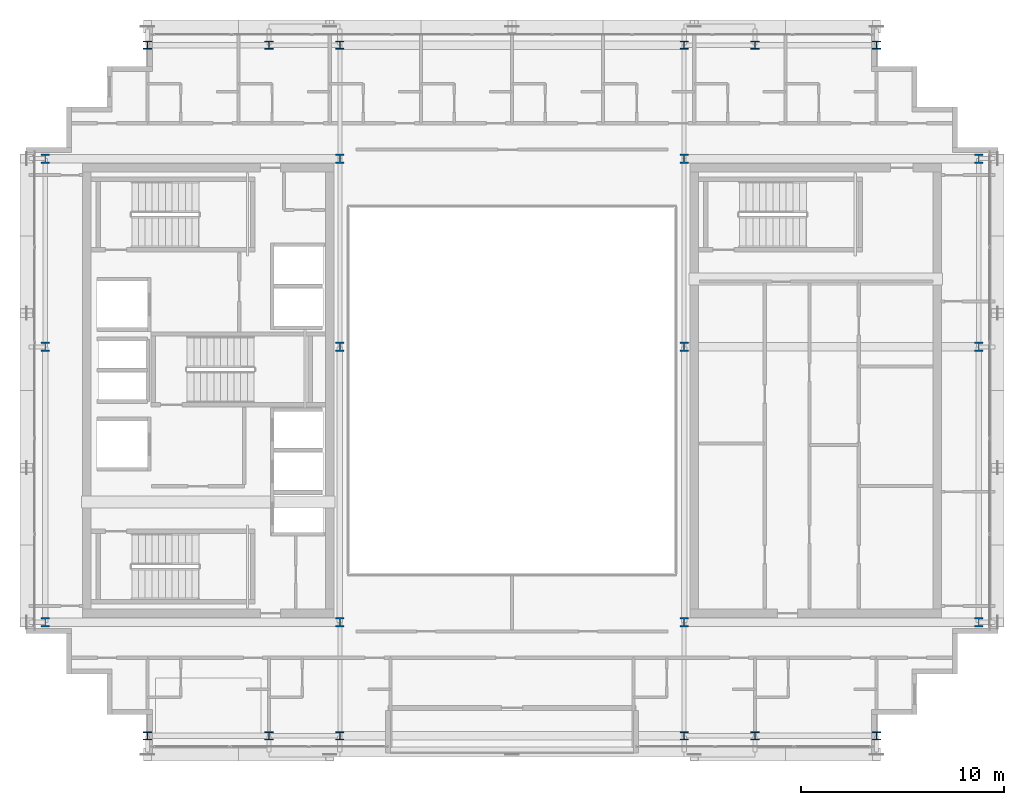
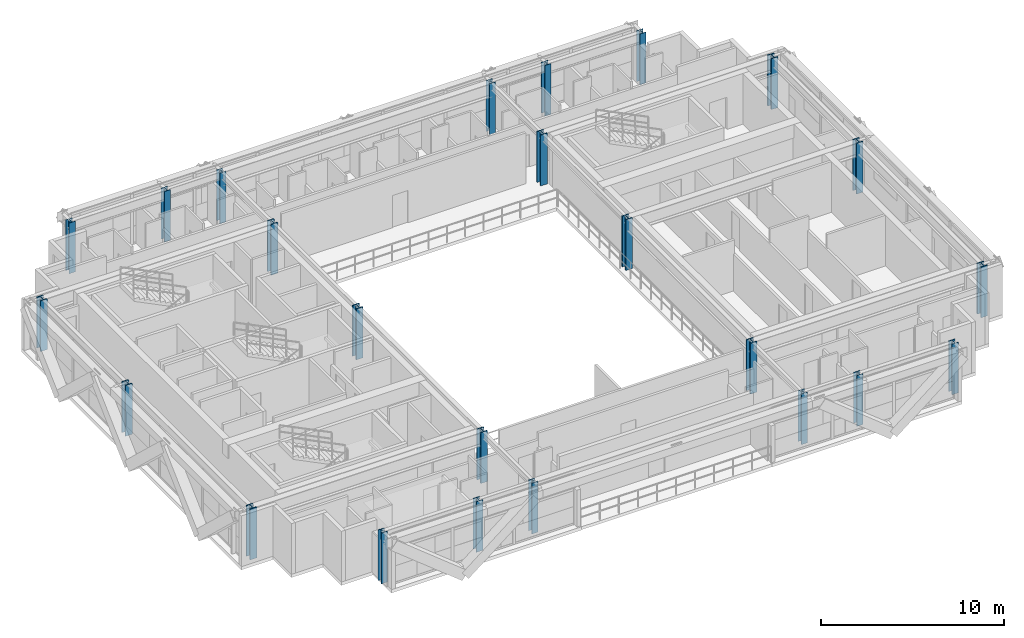
# One storey, part 1 of 28: 24 columns.
"""IFC4 building model written with IfcOpenShell, lengths in metres."""

import ifcopenshell
import ifcopenshell.guid

model = None  # the IFC model being written
_history = None  # IfcOwnerHistory: only IFC2X3 demands one
_inside = {}  # id of a spatial element -> (the spatial element, [elements in it])
_under = {}  # id of a project, library or spatial element -> (it, [spatial elements below it])
_declared = {}  # id of a project -> (the project, [libraries it declares])
_typed = {}  # id of a type object -> (the type object, [elements of that type])
_made_of = {}  # id of a material, layer set ... -> (it, [elements and type objects made of it])


def new_model(schema):
    """Start an empty IFC model of exactly this schema.

    Asked for "IFC4X3", IfcOpenShell would pick the latest addendum, in which some entities
    have other attributes; the version numbers below select the first issue.
    IFC2X3 requires an IfcOwnerHistory on every rooted entity: one is made here for all.
    """
    global model, _history
    if schema == "IFC4X3":
        model = ifcopenshell.file(schema_version=(4, 3, 0, 0))
    else:
        model = ifcopenshell.file(schema=schema)
    _inside.clear()
    _under.clear()
    _declared.clear()
    _typed.clear()
    _made_of.clear()
    _history = None
    if model.schema == "IFC2X3":
        org = make("IfcOrganization", Name="unknown")
        user = make(
            "IfcPersonAndOrganization",
            ThePerson=make("IfcPerson", FamilyName="unknown"),
            TheOrganization=org,
        )
        app = make(
            "IfcApplication",
            ApplicationDeveloper=org,
            Version="unknown",
            ApplicationFullName="unknown",
            ApplicationIdentifier="unknown",
        )
        _history = make(
            "IfcOwnerHistory",
            OwningUser=user,
            OwningApplication=app,
            ChangeAction="ADDED",
            CreationDate=0,
        )
    return model


def make(cls, **values):
    """One entity of the class cls with the attributes given. An attribute that is None is left unset."""
    return model.create_entity(
        cls, **{name: value for name, value in values.items() if value is not None}
    )


def rooted(cls, **values):
    """An entity with a GlobalId (a new one), such as an element, a storey or a relation."""
    return make(cls, GlobalId=ifcopenshell.guid.new(), OwnerHistory=_history, **values)


def si_unit(unit_type, name, prefix=None):
    """IfcSIUnit, for example si_unit("LENGTHUNIT", "METRE", prefix="MILLI")."""
    return make("IfcSIUnit", UnitType=unit_type, Prefix=prefix, Name=name)


def assignment(units):
    """IfcUnitAssignment: the units of a project."""
    return None if units is None else make("IfcUnitAssignment", Units=units)


def point(xyz):
    """IfcCartesianPoint."""
    return None if xyz is None else make("IfcCartesianPoint", Coordinates=xyz)


def direction(xyz):
    """IfcDirection."""
    return None if xyz is None else make("IfcDirection", DirectionRatios=xyz)


def frame(location, z_axis=None, x_axis=None):
    """IfcAxis2Placement3D, a coordinate frame: its origin and axes. An axis left out is left unset."""
    return make(
        "IfcAxis2Placement3D",
        Location=point(location),
        Axis=direction(z_axis),
        RefDirection=direction(x_axis),
    )


def frame_2d(location, x_axis=None):
    """IfcAxis2Placement2D, a coordinate frame in the plane: its origin and x axis."""
    return make(
        "IfcAxis2Placement2D", Location=point(location), RefDirection=direction(x_axis)
    )


def origin():
    """The frame at (0, 0, 0) with its axes left unset."""
    return frame((0.0, 0.0, 0.0))


def origin_2d():
    """The frame at (0, 0) in the plane with its x axis left unset."""
    return frame_2d((0.0, 0.0))


def place(relative_to, where):
    """IfcLocalPlacement: puts the frame where relative to a parent placement (None: the world)."""
    return make(
        "IfcLocalPlacement", PlacementRelTo=relative_to, RelativePlacement=where
    )


def context(
    kind, dimensions, precision=None, world=None, true_north=None, identifier=None
):
    """IfcGeometricRepresentationContext, for example the 3D "Model" context."""
    return make(
        "IfcGeometricRepresentationContext",
        ContextIdentifier=identifier,
        ContextType=kind,
        CoordinateSpaceDimension=dimensions,
        Precision=precision,
        WorldCoordinateSystem=world,
        TrueNorth=true_north,
    )


def subcontext(parent, identifier, kind, view, scale=None):
    """IfcGeometricRepresentationSubContext, for example "Body" below "Model"."""
    return make(
        "IfcGeometricRepresentationSubContext",
        ContextIdentifier=identifier,
        ContextType=kind,
        ParentContext=parent,
        TargetScale=scale,
        TargetView=view,
    )


def project(units=None, contexts=None):
    """IfcProject with its units and contexts."""
    return rooted(
        "IfcProject",
        Name="project",
        RepresentationContexts=contexts,
        UnitsInContext=assignment(units),
    )


def spatial(cls, under=None, at=None, **own):
    """A site, building, storey or space (cls), placed at a placement, below another one or the project."""
    s = rooted(cls, ObjectPlacement=at, **own)
    if under is not None:
        _under.setdefault(under.id(), (under, []))[1].append(s)
    return s


def profile(cls, at=None, kind="AREA", **sizes):
    """A parametric profile (cls). Its sizes go by their IFC names, for example OverallWidth=200.0."""
    return make(cls, ProfileType=kind, Position=at, **sizes)


def i_section(**sizes):
    """IfcIShapeProfileDef."""
    return profile("IfcIShapeProfileDef", **sizes)


def extrude(swept, where, along, depth):
    """IfcExtrudedAreaSolid: the profile swept, set in the frame where, extruded along a direction by depth."""
    return make(
        "IfcExtrudedAreaSolid",
        SweptArea=swept,
        Position=where,
        ExtrudedDirection=direction(along),
        Depth=depth,
    )


def shape(context_of_items, identifier, shape_type, items):
    """IfcShapeRepresentation: the items that make up one representation, for example the "Body"."""
    return make(
        "IfcShapeRepresentation",
        ContextOfItems=context_of_items,
        RepresentationIdentifier=identifier,
        RepresentationType=shape_type,
        Items=items,
    )


def source(mapping_origin, context_of_items, identifier, shape_type, items):
    """IfcRepresentationMap: a shape defined once, which mapped items show again and again."""
    return make(
        "IfcRepresentationMap",
        MappingOrigin=mapping_origin,
        MappedRepresentation=shape(context_of_items, identifier, shape_type, items),
    )


def transform(
    local_origin,
    x_axis=None,
    y_axis=None,
    z_axis=None,
    scale=None,
    scale2=None,
    scale3=None,
    uniform=True,
):
    """IfcCartesianTransformationOperator3D, or its non-uniform kind. x_axis, y_axis, z_axis: its Axis1, 2, 3."""
    if uniform:
        return make(
            "IfcCartesianTransformationOperator3D",
            Axis1=direction(x_axis),
            Axis2=direction(y_axis),
            LocalOrigin=point(local_origin),
            Scale=scale,
            Axis3=direction(z_axis),
        )
    return make(
        "IfcCartesianTransformationOperator3DnonUniform",
        Axis1=direction(x_axis),
        Axis2=direction(y_axis),
        LocalOrigin=point(local_origin),
        Scale=scale,
        Axis3=direction(z_axis),
        Scale2=scale2,
        Scale3=scale3,
    )


def mapped(mapping_source, mapping_target):
    """IfcMappedItem: shows the shape of a source again, moved by a transform."""
    return make(
        "IfcMappedItem", MappingSource=mapping_source, MappingTarget=mapping_target
    )


def material(Name=None, Category=None):
    """IfcMaterial."""
    return make("IfcMaterial", Name=Name, Category=Category)


def material_profile(
    of_material, cross_section, Name=None, Category=None, Priority=None
):
    """IfcMaterialProfile: a cross section and its material."""
    return make(
        "IfcMaterialProfile",
        Name=Name,
        Material=of_material,
        Profile=cross_section,
        Priority=Priority,
        Category=Category,
    )


def profile_set(profiles, Name=None, composite=None):
    """IfcMaterialProfileSet."""
    return make(
        "IfcMaterialProfileSet",
        Name=Name,
        MaterialProfiles=profiles,
        CompositeProfile=composite,
    )


def made_of(thing, what):
    """Note that an element or type object is made of a material, layer set ...; save() writes the relation."""
    if what is not None:
        _made_of.setdefault(what.id(), (what, []))[1].append(thing)
    return thing


def type_object(cls, material=None, **own):
    """A type object (cls), such as IfcWallType, which elements share."""
    return made_of(rooted(cls, **own), material)


def element(
    cls,
    number,
    at=None,
    inside=None,
    cuts=None,
    type_object=None,
    material=None,
    context=None,
    identifier="Body",
    shape_type=None,
    held_by="IfcProductDefinitionShape",
    body=None,
    shapes=None,
    **own,
):
    """One element of the class cls, such as IfcWall. Its Tag is "e" and its number.

    at: its placement. inside: the storey or other place that contains it. cuts: it is an
    opening in that element (IfcRelVoidsElement). A single representation is given by context,
    identifier, shape_type and body (its items); several are given by shapes. held_by: the class
    of the entity that holds the representations. save() writes the other relations.
    """
    e = rooted(cls, Tag="e%d" % number, ObjectPlacement=at, **own)
    if body is not None:
        shapes = [shape(context, identifier, shape_type, body)]
    if shapes is not None:
        e.Representation = make(held_by, Representations=shapes)
    if inside is not None:
        _inside.setdefault(inside.id(), (inside, []))[1].append(e)
    if cuts is not None:
        rooted(
            "IfcRelVoidsElement", RelatingBuildingElement=cuts, RelatedOpeningElement=e
        )
    if type_object is not None:
        _typed.setdefault(type_object.id(), (type_object, []))[1].append(e)
    return made_of(e, material)


def aggregate(whole, parts):
    """IfcRelAggregates: a whole, such as a stair, and the parts it consists of."""
    return rooted("IfcRelAggregates", RelatingObject=whole, RelatedObjects=parts)


def save(model, path):
    """Write the relations noted so far, then the file.

    IfcRelAggregates (storeys below a building ...), IfcRelContainedInSpatialStructure (elements
    in a storey), IfcRelDefinesByType, IfcRelAssociatesMaterial and IfcRelDeclares: one each for
    every whole, place, type object, material and project.
    """
    for whole, parts in _under.values():
        aggregate(whole, parts)
    for where, things in _inside.values():
        rooted(
            "IfcRelContainedInSpatialStructure",
            RelatedElements=things,
            RelatingStructure=where,
        )
    for kind, things in _typed.values():
        rooted("IfcRelDefinesByType", RelatedObjects=things, RelatingType=kind)
    for what, things in _made_of.values():
        rooted("IfcRelAssociatesMaterial", RelatedObjects=things, RelatingMaterial=what)
    for by, libraries in _declared.values():
        rooted("IfcRelDeclares", RelatingContext=by, RelatedDefinitions=libraries)
    model.write(path)


model = new_model("IFC4")

# Units and contexts
model_context = context("Model", 3, precision=1e-05, world=origin(), true_north=direction((0.0, 1.0)))
body_context = subcontext(model_context, "Body", "Model", "MODEL_VIEW")
ifc_project = project(units=[si_unit("LENGTHUNIT", "METRE"), si_unit("AREAUNIT", "SQUARE_METRE"), si_unit("VOLUMEUNIT", "CUBIC_METRE"), si_unit("PLANEANGLEUNIT", "RADIAN"), si_unit("MASSUNIT", "GRAM", prefix="KILO")], contexts=[model_context])

# Site, building, storey
site_placement = place(None, origin())
site = spatial("IfcSite", under=ifc_project, at=site_placement, CompositionType="ELEMENT")
building_placement = place(site_placement, origin())
building = spatial("IfcBuilding", under=site, at=building_placement, Name="Ocotamira Hotel", CompositionType="ELEMENT")
storey_placement = place(building_placement, frame((0.0, 0.0, 240.0)))
storey = spatial("IfcBuildingStorey", under=building, at=storey_placement, Name="L60", CompositionType="ELEMENT", Elevation=240.0)

# Columns
ifc_material_1 = material(Name="Steel ASTM A913 Grade 65", Category="steel")
ifc_material_profile_1 = material_profile(ifc_material_1, i_section(OverallWidth=0.422119140625, OverallDepth=0.465087890625, WebThickness=0.044921875, FlangeThickness=0.072509765625, FilletRadius=0.02490234375, at=origin_2d()), Name="W14X398")
ifc_profile_set_1 = profile_set([ifc_material_profile_1], Name="Steel ASTM A913 Grade 65")
column_type_1 = type_object("IfcColumnType", Name="COL-W14X398", PredefinedType="COLUMN", material=ifc_profile_set_1)
shared_shape_1 = source(origin(), body_context, "Body", "SweptSolid", [
    extrude(i_section(OverallWidth=0.422119140625, OverallDepth=0.465087890625, WebThickness=0.044921875, FlangeThickness=0.072509765625, FilletRadius=0.02490234375, at=origin_2d()), origin(), (0.0, 0.0, 1.0), 3.3798828125),
])
for number, where, z_axis, x_axis, name in (
    (1, (8.949951171875, 14.550048828125, 0.0), (0.0, 0.0, 1.0), (1.0, 0.0, 0.0), "L60 Column TW8_14"),
    (2, (23.5, 14.550048828125, 0.0), (0.0, 0.0, 1.0), (1.0, 0.0, 0.0), "L60 Column TW23_14"),
    (3, (40.5, 14.550048828125, 0.0), (0.0, 0.0, 1.0), (1.0, 0.0, 0.0), "L60 Column TE40_14"),
    (4, (55.050048828125, 14.550048828125, 0.0), (0.0, 0.0, 1.0), (1.0, 0.0, 0.0), "L60 Column TE55_14"),
    (5, (8.949951171875, 28.14990234375, 0.0), (0.0, 0.0, 1.0), (1.0, 0.0, 0.0), "L60 Column TW8_28"),
    (6, (23.5, 28.14990234375, 0.0), (0.0, 0.0, 1.0), (1.0, 0.0, 0.0), "L60 Column TW23_28"),
    (7, (40.5, 28.14990234375, 0.0), (0.0, 0.0, 1.0), (1.0, 0.0, 0.0), "L60 Column TE40_28"),
    (8, (55.050048828125, 28.14990234375, 0.0), (0.0, 0.0, 1.0), (1.0, 0.0, 0.0), "L60 Column TE55_28"),
    (9, (8.949951171875, 37.449951171875, 0.0), (0.0, 0.0, 1.0), (1.0, 0.0, 0.0), "L60 Column TW8_37"),
    (10, (23.5, 37.449951171875, 0.0), (0.0, 0.0, 1.0), (1.0, 0.0, 0.0), "L60 Column TW23_37"),
    (11, (40.5, 37.449951171875, 0.0), (0.0, 0.0, 1.0), (1.0, 0.0, 0.0), "L60 Column TE40_37"),
    (12, (55.050048828125, 37.449951171875, 0.0), (0.0, 0.0, 1.0), (1.0, 0.0, 0.0), "L60 Column TE55_37"),
):
    element("IfcColumn", number, at=place(storey_placement, frame(where, z_axis=z_axis, x_axis=x_axis)), inside=storey, type_object=column_type_1, Name=name, PredefinedType="COLUMN", context=body_context, shape_type="MappedRepresentation", body=[
        mapped(shared_shape_1, transform((0.0, 0.0, 0.0), scale=1.0)),
    ])
ifc_material_2 = material(Name="Steel ASTM A992 Grade 50", Category="steel")
ifc_material_profile_2 = material_profile(ifc_material_2, i_section(OverallWidth=0.39892578125, OverallDepth=0.386962890625, WebThickness=0.02099609375, FlangeThickness=0.033203125, FilletRadius=0.02490234375, at=origin_2d()), Name="W14X176")
ifc_profile_set_2 = profile_set([ifc_material_profile_2], Name="Steel ASTM A992 Grade 50")
column_type_2 = type_object("IfcColumnType", Name="COL-W14X176", PredefinedType="COLUMN", material=ifc_profile_set_2)
shared_shape_2 = source(origin(), body_context, "Body", "SweptSolid", [
    extrude(i_section(OverallWidth=0.39892578125, OverallDepth=0.386962890625, WebThickness=0.02099609375, FlangeThickness=0.033203125, FilletRadius=0.02490234375, at=origin_2d()), origin(), (0.0, 0.0, 1.0), 3.3798828125),
])
for number, where, z_axis, x_axis, name in (
    (13, (14.0, 8.949951171875, 0.0), (0.0, 0.0, 1.0), (1.0, 0.0, 0.0), "L60 Column NSP1_14"),
    (14, (20.0, 8.949951171875, 0.0), (0.0, 0.0, 1.0), (1.0, 0.0, 0.0), "L60 Column NSP1_20"),
    (15, (23.5, 8.949951171875, 0.0), (0.0, 0.0, 1.0), (1.0, 0.0, 0.0), "L60 Column NSP1_23"),
    (16, (40.5, 8.949951171875, 0.0), (0.0, 0.0, 1.0), (1.0, 0.0, 0.0), "L60 Column NSP1_40"),
    (17, (44.0, 8.949951171875, 0.0), (0.0, 0.0, 1.0), (1.0, 0.0, 0.0), "L60 Column NSP1_44"),
    (18, (50.0, 8.949951171875, 0.0), (0.0, 0.0, 1.0), (1.0, 0.0, 0.0), "L60 Column NSP1_50"),
    (19, (14.0, 43.050048828125, 0.0), (0.0, 0.0, 1.0), (1.0, 0.0, 0.0), "L60 Column NSP2_14"),
    (20, (20.0, 43.050048828125, 0.0), (0.0, 0.0, 1.0), (1.0, 0.0, 0.0), "L60 Column NSP2_20"),
    (21, (23.5, 43.050048828125, 0.0), (0.0, 0.0, 1.0), (1.0, 0.0, 0.0), "L60 Column NSP2_23"),
    (22, (40.5, 43.050048828125, 0.0), (0.0, 0.0, 1.0), (1.0, 0.0, 0.0), "L60 Column NSP2_40"),
    (23, (44.0, 43.050048828125, 0.0), (0.0, 0.0, 1.0), (1.0, 0.0, 0.0), "L60 Column NSP2_44"),
    (24, (50.0, 43.050048828125, 0.0), (0.0, 0.0, 1.0), (1.0, 0.0, 0.0), "L60 Column NSP2_50"),
):
    element("IfcColumn", number, at=place(storey_placement, frame(where, z_axis=z_axis, x_axis=x_axis)), inside=storey, type_object=column_type_2, Name=name, PredefinedType="COLUMN", context=body_context, shape_type="MappedRepresentation", body=[
        mapped(shared_shape_2, transform((0.0, 0.0, 0.0), scale=1.0)),
    ])

save(model, "model.ifc")
